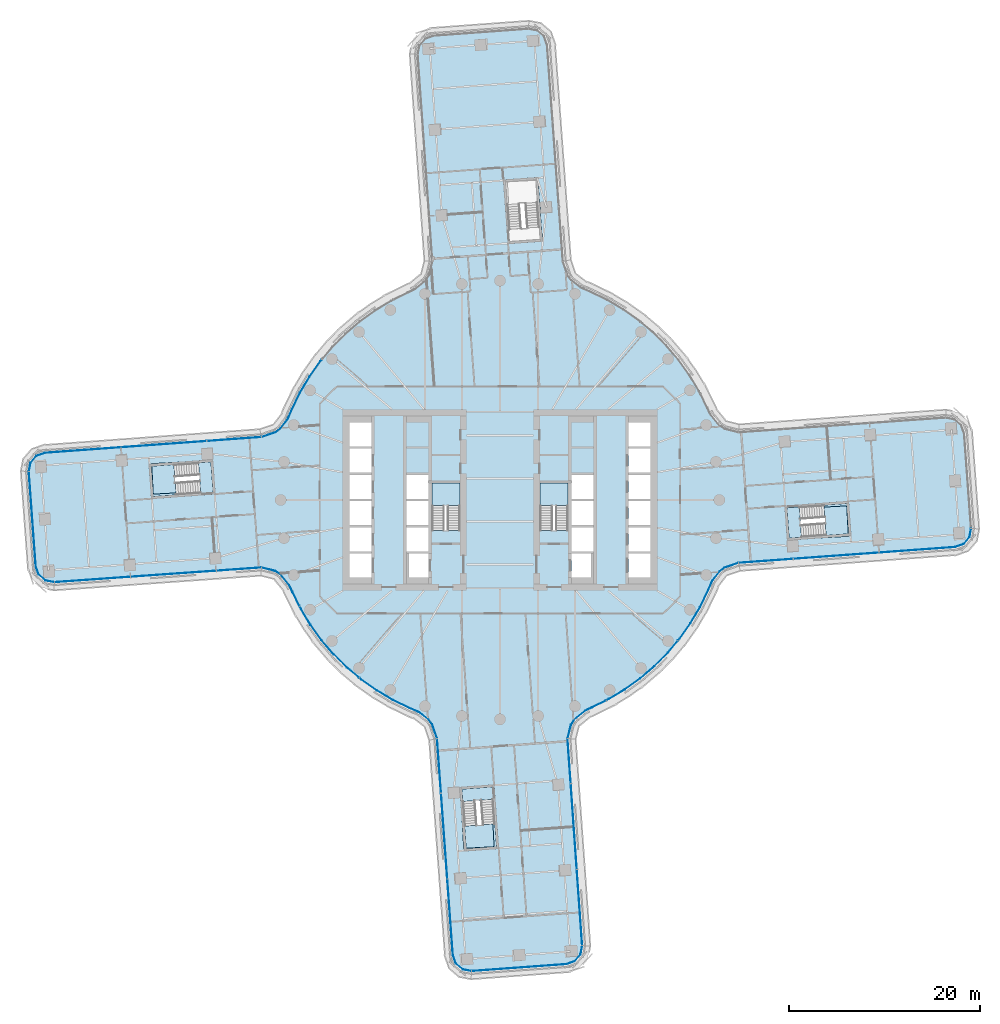
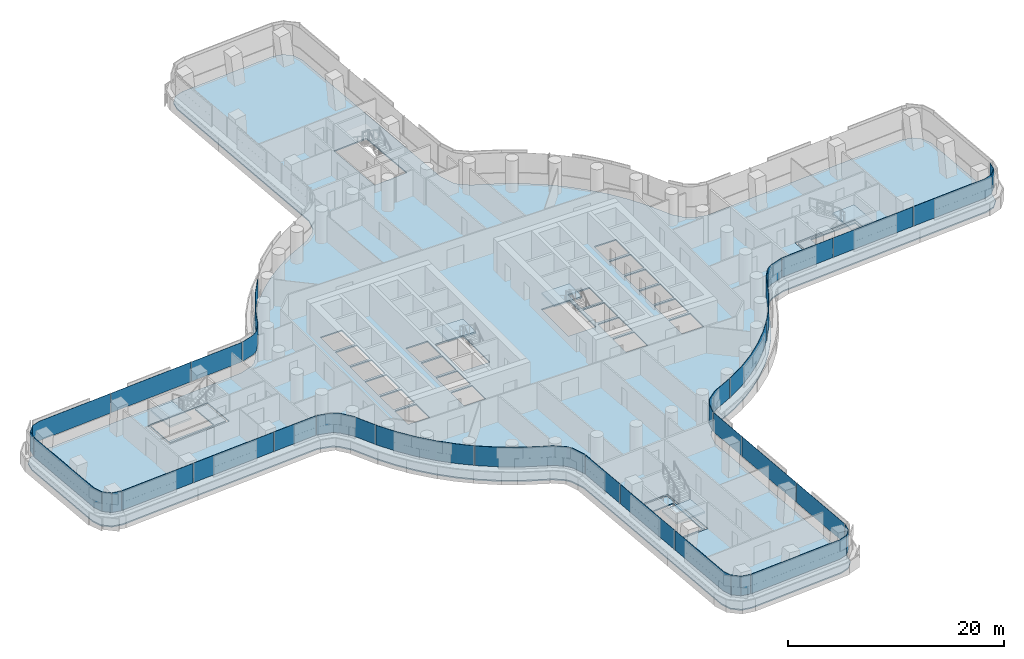
# One storey, part 17 of 31: 24 plates, 9 slabs, 15 elements without a shape of their own.
"""IFC4 building model written with IfcOpenShell, lengths in metres."""

from ifc_helpers import new_model, si_unit, direction, frame, origin, place, context, subcontext, project, spatial, polyline, outline, extrude, material, layer, layer_set, type_object, element, aggregate, save


model = new_model("IFC4")

# Units and contexts
model_context = context("Model", 3, precision=1e-05, world=origin(), true_north=direction((0.0, 1.0)))
body_context = subcontext(model_context, "Body", "Model", "MODEL_VIEW")
ifc_project = project(units=[si_unit("LENGTHUNIT", "METRE"), si_unit("AREAUNIT", "SQUARE_METRE"), si_unit("VOLUMEUNIT", "CUBIC_METRE"), si_unit("PLANEANGLEUNIT", "RADIAN"), si_unit("MASSUNIT", "GRAM", prefix="KILO")], contexts=[model_context])

# Site, building, storey
site_placement = place(None, origin())
site = spatial("IfcSite", under=ifc_project, at=site_placement, CompositionType="ELEMENT")
building_placement = place(site_placement, origin())
building = spatial("IfcBuilding", under=site, at=building_placement, Name="Tamarind Cross Interchange Tower", CompositionType="ELEMENT")
storey_placement = place(building_placement, frame((0.0, 0.0, 49.0)))
storey = spatial("IfcBuildingStorey", under=building, at=storey_placement, Name="L10", CompositionType="ELEMENT", Elevation=49.0)

# Slabs
ifc_material_1 = material(Name="Concrete C35", Category="concrete")
ifc_layer_1 = layer(ifc_material_1, 0.139892578125)
ifc_layer_set_1 = layer_set([ifc_layer_1], Name="Concrete C35")
slab_type_1 = type_object("IfcSlabType", Name="Composite slab 140 Concrete C35", PredefinedType="FLOOR", material=ifc_layer_set_1)
slab_1_placement = place(storey_placement, frame((0.0, 0.0, -0.139892578125)))
element("IfcSlab", 1, at=slab_1_placement, inside=storey, type_object=slab_type_1, Name="Floor slab L10", PredefinedType="FLOOR", context=body_context, shape_type="SweptSolid", body=[
    extrude(outline(polyline([(7.285400390625, 23.621826171875), (6.795166015625, 25.059814453125), (5.13671875, 47.755615234375), (4.796630859375, 48.7333984375), (4.01318359375, 49.41015625), (2.996337890625, 49.6044921875), (-6.977294921875, 48.875732421875), (-7.955078125, 48.53564453125), (-8.631591796875, 47.752197265625), (-8.826171875, 46.7353515625), (-7.289794921875, 25.02783203125), (-7.62841796875, 23.673828125), (-7.953369140625, 23.15869140625), (-9.02978515625, 22.2705078125), (-9.7333984375, 21.93310546875), (-11.511474609375, 21.054443359375), (-13.2109375, 20.031982421875), (-14.820068359375, 18.87255859375), (-16.327880859375, 17.584228515625), (-17.72412109375, 16.17578125), (-18.99951171875, 14.656982421875), (-20.14501953125, 13.0380859375), (-21.15283203125, 11.329833984375), (-22.01611328125, 9.54443359375), (-22.4287109375, 8.594970703125), (-23.183837890625, 7.608642578125), (-23.621826171875, 7.285400390625), (-25.059814453125, 6.795166015625), (-47.755615234375, 5.13671875), (-48.7333984375, 4.796630859375), (-49.41015625, 4.01318359375), (-49.6044921875, 2.996337890625), (-48.875732421875, -6.977294921875), (-48.53564453125, -7.955078125), (-47.752197265625, -8.631591796875), (-46.7353515625, -8.826171875), (-25.02783203125, -7.289794921875), (-23.673828125, -7.62841796875), (-23.15869140625, -7.953369140625), (-22.2705078125, -9.02978515625), (-21.93310546875, -9.7333984375), (-21.054443359375, -11.511474609375), (-20.031982421875, -13.2109375), (-18.87255859375, -14.820068359375), (-17.584228515625, -16.327880859375), (-16.17578125, -17.72412109375), (-14.656982421875, -18.99951171875), (-13.0380859375, -20.14501953125), (-11.329833984375, -21.15283203125), (-9.54443359375, -22.01611328125), (-8.594970703125, -22.4287109375), (-7.608642578125, -23.183837890625), (-7.285400390625, -23.621826171875), (-6.795166015625, -25.059814453125), (-5.13671875, -47.755615234375), (-4.796630859375, -48.7333984375), (-4.01318359375, -49.41015625), (-2.996337890625, -49.6044921875), (6.977294921875, -48.875732421875), (7.955078125, -48.53564453125), (8.631591796875, -47.752197265625), (8.826171875, -46.7353515625), (7.289794921875, -25.02783203125), (7.62841796875, -23.673828125), (7.953369140625, -23.15869140625), (9.02978515625, -22.2705078125), (9.7333984375, -21.93310546875), (11.511474609375, -21.054443359375), (13.2109375, -20.031982421875), (14.820068359375, -18.87255859375), (16.327880859375, -17.584228515625), (17.72412109375, -16.17578125), (18.99951171875, -14.656982421875), (20.14501953125, -13.0380859375), (21.15283203125, -11.329833984375), (22.01611328125, -9.54443359375), (22.4287109375, -8.594970703125), (23.183837890625, -7.608642578125), (23.621826171875, -7.285400390625), (25.059814453125, -6.795166015625), (47.755615234375, -5.13671875), (48.7333984375, -4.796630859375), (49.41015625, -4.01318359375), (49.6044921875, -2.996337890625), (48.875732421875, 6.977294921875), (48.53564453125, 7.955078125), (47.752197265625, 8.631591796875), (46.7353515625, 8.826171875), (25.02783203125, 7.289794921875), (23.673828125, 7.62841796875), (23.15869140625, 7.953369140625), (22.2705078125, 9.02978515625), (21.93310546875, 9.7333984375), (21.054443359375, 11.511474609375), (20.031982421875, 13.2109375), (18.87255859375, 14.820068359375), (17.584228515625, 16.327880859375), (16.17578125, 17.72412109375), (14.656982421875, 18.99951171875), (13.0380859375, 20.14501953125), (11.329833984375, 21.15283203125), (9.54443359375, 22.01611328125), (8.594970703125, 22.4287109375), (7.608642578125, 23.183837890625), (7.285400390625, 23.621826171875)]), holes=[polyline([(-13.5, -8.125), (-15.800048828125, -8.125), (-15.800048828125, -5.625), (-13.5, -5.625), (-13.5, -8.125)]), polyline([(-13.5, -5.375), (-15.800048828125, -5.375), (-15.800048828125, -2.875), (-13.5, -2.875), (-13.5, -5.375)]), polyline([(-7.5, -5.375), (-9.800048828125, -5.375), (-9.800048828125, -2.875), (-7.5, -2.875), (-7.5, -5.375)]), polyline([(-15.800048828125, -2.625), (-15.800048828125, -0.125), (-13.5, -0.125), (-13.5, -2.625), (-15.800048828125, -2.625)]), polyline([(-9.800048828125, -2.625), (-9.800048828125, -0.125), (-7.5, -0.125), (-7.5, -2.625), (-9.800048828125, -2.625)]), polyline([(-29.86669921875, 0.62841796875), (-36.548828125, 0.14013671875), (-36.5634765625, 0.339599609375), (-36.796630859375, 3.531005859375), (-36.811279296875, 3.73046875), (-36.52685546875, 3.751220703125), (-36.530029296875, 3.811279296875), (-33.245361328125, 3.9912109375), (-30.129150390625, 4.21875), (-30.114501953125, 4.019287109375), (-29.88134765625, 0.827880859375), (-29.86669921875, 0.62841796875)]), polyline([(-13.5, 0.125), (-15.800048828125, 0.125), (-15.800048828125, 2.625), (-13.5, 2.625), (-13.5, 0.125)]), polyline([(-7.5, 0.125), (-9.800048828125, 0.125), (-9.800048828125, 2.625), (-7.5, 2.625), (-7.5, 0.125)]), polyline([(-13.5, 2.875), (-15.800048828125, 2.875), (-15.800048828125, 5.375), (-13.5, 5.375), (-13.5, 2.875)]), polyline([(-15.800048828125, 5.625), (-15.800048828125, 8.125), (-13.5, 8.125), (-13.5, 5.625), (-15.800048828125, 5.625)]), polyline([(-4.21875, -30.129150390625), (-4.019287109375, -30.114501953125), (-0.827880859375, -29.88134765625), (-0.62841796875, -29.86669921875), (-0.14013671875, -36.548828125), (-0.339599609375, -36.5634765625), (-3.531005859375, -36.796630859375), (-3.73046875, -36.811279296875), (-3.751220703125, -36.52685546875), (-3.811279296875, -36.530029296875), (-3.9912109375, -33.245361328125), (-4.21875, -30.129150390625)]), polyline([(-9.800048828125, -8.125), (-9.800048828125, -5.625), (-7.5, -5.625), (-7.5, -8.125), (-9.800048828125, -8.125)]), polyline([(9.800048828125, -2.875), (9.800048828125, -5.375), (7.5, -5.375), (7.5, -2.875), (9.800048828125, -2.875)]), polyline([(-4.199951171875, 1.800048828125), (-4.199951171875, -3.18798828125), (-7.14990234375, -3.18798828125), (-7.14990234375, 1.800048828125), (-4.199951171875, 1.800048828125)]), polyline([(7.14990234375, 1.800048828125), (7.14990234375, -3.18798828125), (4.199951171875, -3.18798828125), (4.199951171875, 1.800048828125), (7.14990234375, 1.800048828125)]), polyline([(0.358642578125, 33.556884765625), (0.55810546875, 33.5712890625), (3.749755859375, 33.8046875), (3.94921875, 33.819091796875), (3.969970703125, 33.5341796875), (3.975341796875, 33.53466796875), (3.9912109375, 33.245361328125), (4.4375, 27.136962890625), (4.238037109375, 27.12255859375), (1.04638671875, 26.889404296875), (0.846923828125, 26.874755859375), (0.358642578125, 33.556884765625)]), polyline([(7.5, -5.625), (9.800048828125, -5.625), (9.800048828125, -8.125), (7.5, -8.125), (7.5, -5.625)]), polyline([(15.800048828125, -5.625), (15.800048828125, -8.125), (13.5, -8.125), (13.5, -5.625), (15.800048828125, -5.625)]), polyline([(15.800048828125, -2.875), (15.800048828125, -5.375), (13.5, -5.375), (13.5, -2.875), (15.800048828125, -2.875)]), polyline([(30.129150390625, -4.21875), (30.114501953125, -4.019287109375), (29.88134765625, -0.827880859375), (29.86669921875, -0.62841796875), (36.548828125, -0.14013671875), (36.5634765625, -0.339599609375), (36.796630859375, -3.531005859375), (36.811279296875, -3.73046875), (36.52685546875, -3.751220703125), (36.530029296875, -3.811279296875), (33.245361328125, -3.9912109375), (30.129150390625, -4.21875)]), polyline([(9.800048828125, -0.125), (9.800048828125, -2.625), (7.5, -2.625), (7.5, -0.125), (9.800048828125, -0.125)]), polyline([(13.5, -0.125), (15.800048828125, -0.125), (15.800048828125, -2.625), (13.5, -2.625), (13.5, -0.125)]), polyline([(9.800048828125, 2.625), (9.800048828125, 0.125), (7.5, 0.125), (7.5, 2.625), (9.800048828125, 2.625)]), polyline([(13.5, 2.625), (15.800048828125, 2.625), (15.800048828125, 0.125), (13.5, 0.125), (13.5, 2.625)]), polyline([(15.800048828125, 5.375), (15.800048828125, 2.875), (13.5, 2.875), (13.5, 5.375), (15.800048828125, 5.375)]), polyline([(15.800048828125, 8.125), (15.800048828125, 5.625), (13.5, 5.625), (13.5, 8.125), (15.800048828125, 8.125)])]), origin(), (0.0, 0.0, 1.0), 0.139892578125),
])
slab_2_placement = place(storey_placement, frame((0.0, 0.0, -0.139892578125)))
element("IfcSlab", 2, at=slab_2_placement, inside=storey, type_object=slab_type_1, Name="Floor slab L10", PredefinedType="FLOOR", context=body_context, shape_type="SweptSolid", body=[
    extrude(outline(polyline([(-36.59716796875, 3.545654296875), (-36.364013671875, 0.35400390625), (-30.080810546875, 0.813232421875), (-30.31396484375, 4.0048828125), (-31.62255859375, 3.9091796875), (-31.401611328125, 0.88720703125), (-36.355224609375, 0.615966796875), (-36.515869140625, 3.551513671875), (-36.59716796875, 3.545654296875)])), origin(), (0.0, 0.0, 1.0), 0.139892578125),
])
slab_3_placement = place(storey_placement, frame((0.0, 0.0, -0.139892578125)))
element("IfcSlab", 3, at=slab_3_placement, inside=storey, type_object=slab_type_1, Name="Floor slab L10", PredefinedType="FLOOR", context=body_context, shape_type="SweptSolid", body=[
    extrude(outline(polyline([(-3.545654296875, -36.59716796875), (-0.35400390625, -36.364013671875), (-0.813232421875, -30.080810546875), (-4.0048828125, -30.31396484375), (-3.9091796875, -31.62255859375), (-0.88720703125, -31.401611328125), (-0.615966796875, -36.355224609375), (-3.551513671875, -36.515869140625), (-3.545654296875, -36.59716796875)])), origin(), (0.0, 0.0, 1.0), 0.139892578125),
])
slab_4_placement = place(storey_placement, frame((0.0, 0.0, -0.139892578125)))
element("IfcSlab", 4, at=slab_4_placement, inside=storey, type_object=slab_type_1, Name="Floor slab L10", PredefinedType="FLOOR", context=body_context, shape_type="SweptSolid", body=[
    extrude(outline(polyline([(36.59716796875, -3.545654296875), (36.364013671875, -0.35400390625), (30.080810546875, -0.813232421875), (30.31396484375, -4.0048828125), (31.62255859375, -3.9091796875), (31.401611328125, -0.88720703125), (36.355224609375, -0.615966796875), (36.515869140625, -3.551513671875), (36.59716796875, -3.545654296875)])), origin(), (0.0, 0.0, 1.0), 0.139892578125),
])

# Stair, slab
ifc_material_2 = material(Name="Exit stair")
stair_type = type_object("IfcStairType", Name="Exit stair", PredefinedType="HALF_TURN_STAIR", material=ifc_material_2)
stair_1_placement = place(storey_placement, origin())
stair_1 = element("IfcStair", 5, at=stair_1_placement, inside=storey, type_object=stair_type, Name="L10 exit stair ST1", PredefinedType="HALF_TURN_STAIR")
ifc_material_3 = material(Name="Concrete C40", Category="concrete")
ifc_layer_2 = layer(ifc_material_3, 0.199951171875)
ifc_layer_set_2 = layer_set([ifc_layer_2], Name="Concrete C40")
slab_type_2 = type_object("IfcSlabType", Name="Stair landing", PredefinedType="LANDING", material=ifc_layer_set_2)
slab_5_placement = place(storey_placement, frame((0.0, 0.0, 1.675048828125)))
slab_5 = element("IfcSlab", 6, at=slab_5_placement, type_object=slab_type_2, Name="ST1 landing 1", PredefinedType="LANDING", context=body_context, shape_type="SweptSolid", body=[
    extrude(outline(polyline([(-4.199951171875, -0.60009765625), (-4.199951171875, 1.800048828125), (-7.14990234375, 1.800048828125), (-7.14990234375, -0.60009765625), (-4.199951171875, -0.60009765625)])), origin(), (0.0, 0.0, 1.0), 0.199951171875),
])
aggregate(stair_1, [slab_5])

stair_2_placement = place(storey_placement, origin())
stair_2 = element("IfcStair", 7, at=stair_2_placement, inside=storey, type_object=stair_type, Name="L10 exit stair ST2", PredefinedType="HALF_TURN_STAIR")
slab_6_placement = place(storey_placement, frame((0.0, 0.0, 1.675048828125)))
slab_6 = element("IfcSlab", 8, at=slab_6_placement, type_object=slab_type_2, Name="ST2 landing 1", PredefinedType="LANDING", context=body_context, shape_type="SweptSolid", body=[
    extrude(outline(polyline([(7.14990234375, -0.60009765625), (7.14990234375, 1.800048828125), (4.199951171875, 1.800048828125), (4.199951171875, -0.60009765625), (7.14990234375, -0.60009765625)])), origin(), (0.0, 0.0, 1.0), 0.199951171875),
])
aggregate(stair_2, [slab_6])

stair_3_placement = place(storey_placement, origin())
stair_3 = element("IfcStair", 9, at=stair_3_placement, inside=storey, type_object=stair_type, Name="L10 exit stair ST3", PredefinedType="HALF_TURN_STAIR")
slab_7_placement = place(storey_placement, frame((0.0, 0.0, 1.675048828125)))
slab_7 = element("IfcSlab", 10, at=slab_7_placement, type_object=slab_type_2, Name="ST3 landing 1", PredefinedType="LANDING", context=body_context, shape_type="SweptSolid", body=[
    extrude(outline(polyline([(34.191650390625, -3.721435546875), (36.59716796875, -3.545654296875), (36.364013671875, -0.354248046875), (33.95849609375, -0.530029296875), (34.191650390625, -3.721435546875)])), origin(), (0.0, 0.0, 1.0), 0.199951171875),
])
aggregate(stair_3, [slab_7])

stair_4_placement = place(storey_placement, origin())
stair_4 = element("IfcStair", 11, at=stair_4_placement, inside=storey, type_object=stair_type, Name="L10 exit stair ST5", PredefinedType="HALF_TURN_STAIR")
slab_8_placement = place(storey_placement, frame((0.0, 0.0, 1.675048828125)))
slab_8 = element("IfcSlab", 12, at=slab_8_placement, type_object=slab_type_2, Name="ST5 landing 1", PredefinedType="LANDING", context=body_context, shape_type="SweptSolid", body=[
    extrude(outline(polyline([(-34.191650390625, 3.721435546875), (-36.59716796875, 3.545654296875), (-36.364013671875, 0.354248046875), (-33.95849609375, 0.530029296875), (-34.191650390625, 3.721435546875)])), origin(), (0.0, 0.0, 1.0), 0.199951171875),
])
aggregate(stair_4, [slab_8])

stair_5_placement = place(storey_placement, origin())
stair_5 = element("IfcStair", 13, at=stair_5_placement, inside=storey, type_object=stair_type, Name="L10 exit stair ST6", PredefinedType="HALF_TURN_STAIR")
slab_9_placement = place(storey_placement, frame((0.0, 0.0, 1.675048828125)))
slab_9 = element("IfcSlab", 14, at=slab_9_placement, type_object=slab_type_2, Name="ST6 landing 1", PredefinedType="LANDING", context=body_context, shape_type="SweptSolid", body=[
    extrude(outline(polyline([(-3.721435546875, -34.191650390625), (-3.545654296875, -36.59716796875), (-0.354248046875, -36.364013671875), (-0.530029296875, -33.95849609375), (-3.721435546875, -34.191650390625)])), origin(), (0.0, 0.0, 1.0), 0.199951171875),
])
aggregate(stair_5, [slab_9])

# Curtain wall, plate
ifc_material_4 = material(Name="Aluminium 6063-T6", Category="aluminium")
ifc_layer_3 = layer(ifc_material_4, 0.159912109375)
ifc_layer_set_3 = layer_set([ifc_layer_3], Name="Aluminium 6063-T6")
curtain_wall_type = type_object("IfcCurtainWallType", Name="Office curtain wall, 9.0 m bays", PredefinedType="NOTDEFINED", material=ifc_layer_set_3)
curtain_wall_1_placement = place(storey_placement, origin())
curtain_wall_1 = element("IfcCurtainWall", 15, at=curtain_wall_1_placement, inside=storey, type_object=curtain_wall_type, Name="CWS-L10-02", PredefinedType="NOTDEFINED")
ifc_material_5 = material(Name="Laminated low-e glass 8+1.52+8", Category="glass")
ifc_layer_4 = layer(ifc_material_5, 0.028076171875)
ifc_layer_set_4 = layer_set([ifc_layer_4], Name="Laminated low-e glass 8+1.52+8")
plate_type = type_object("IfcPlateType", Name="Vision panel CW1", PredefinedType="CURTAIN_PANEL", material=ifc_layer_set_4)
plate_1_placement = place(storey_placement, frame((0.0, 0.0, 1.39990234375)))
plate_1 = element("IfcPlate", 16, at=plate_1_placement, type_object=plate_type, Name="CWP-L10-02-02", PredefinedType="CURTAIN_PANEL", context=body_context, shape_type="SweptSolid", body=[
    extrude(outline(polyline([(-18.66357421875, 14.72412109375), (-18.829833984375, 14.526123046875), (-19.965087890625, 12.921630859375), (-20.9638671875, 11.228759765625), (-21.821533203125, 9.455078125), (-22.242919921875, 8.485595703125), (-23.032470703125, 7.45458984375), (-23.521484375, 7.093505859375), (-24.986572265625, 6.593994140625), (-24.99560546875, 6.620361328125), (-23.53466796875, 7.11865234375), (-23.05224609375, 7.474609375), (-22.26708984375, 8.5), (-21.846923828125, 9.466796875), (-20.98876953125, 11.241943359375), (-19.988525390625, 12.936767578125), (-18.85205078125, 14.543212890625), (-18.68505859375, 14.7421875), (-18.66357421875, 14.72412109375)])), origin(), (0.0, 0.0, 1.0), 2.210205078125),
])
aggregate(curtain_wall_1, [plate_1])

# Curtain wall, plates
curtain_wall_2_placement = place(storey_placement, origin())
curtain_wall_2 = element("IfcCurtainWall", 17, at=curtain_wall_2_placement, inside=storey, type_object=curtain_wall_type, Name="CWS-L10-03", PredefinedType="NOTDEFINED")
plate_2_placement = place(storey_placement, frame((0.0, 0.0, 1.39990234375)))
plate_2 = element("IfcPlate", 18, at=plate_2_placement, type_object=plate_type, Name="CWP-L10-03-00", PredefinedType="CURTAIN_PANEL", context=body_context, shape_type="SweptSolid", body=[
    extrude(outline(polyline([(-25.04833984375, 6.581298828125), (-30.716796875, 6.167236328125), (-30.71875, 6.195068359375), (-25.05029296875, 6.609375), (-25.04833984375, 6.581298828125)])), origin(), (0.0, 0.0, 1.0), 2.210205078125),
])
plate_3_placement = place(storey_placement, frame((0.0, 0.0, 1.39990234375)))
plate_3 = element("IfcPlate", 19, at=plate_3_placement, type_object=plate_type, Name="CWP-L10-03-01", PredefinedType="CURTAIN_PANEL", context=body_context, shape_type="SweptSolid", body=[
    extrude(outline(polyline([(-30.776611328125, 6.162841796875), (-39.692626953125, 5.51123046875), (-39.694580078125, 5.539306640625), (-30.778564453125, 6.190673828125), (-30.776611328125, 6.162841796875)])), origin(), (0.0, 0.0, 1.0), 2.210205078125),
])
plate_4_placement = place(storey_placement, frame((0.0, 0.0, 1.39990234375)))
plate_4 = element("IfcPlate", 20, at=plate_4_placement, type_object=plate_type, Name="CWP-L10-03-02", PredefinedType="CURTAIN_PANEL", context=body_context, shape_type="SweptSolid", body=[
    extrude(outline(polyline([(-39.75244140625, 5.5068359375), (-47.7119140625, 4.92529296875), (-48.60888671875, 4.61328125), (-49.210693359375, 3.916748046875), (-49.3837890625, 3.011474609375), (-49.411376953125, 3.0166015625), (-49.23681640625, 3.92919921875), (-48.625244140625, 4.63720703125), (-47.717529296875, 4.952880859375), (-39.75439453125, 5.534912109375), (-39.75244140625, 5.5068359375)])), origin(), (0.0, 0.0, 1.0), 2.210205078125),
])
aggregate(curtain_wall_2, [plate_2, plate_3, plate_4])

# Curtain wall, plate
curtain_wall_3_placement = place(storey_placement, origin())
curtain_wall_3 = element("IfcCurtainWall", 21, at=curtain_wall_3_placement, inside=storey, type_object=curtain_wall_type, Name="CWS-L10-04", PredefinedType="NOTDEFINED")
plate_5_placement = place(storey_placement, frame((0.0, 0.0, 1.39990234375)))
plate_5 = element("IfcPlate", 22, at=plate_5_placement, type_object=plate_type, Name="CWP-L10-04-00", PredefinedType="CURTAIN_PANEL", context=body_context, shape_type="SweptSolid", body=[
    extrude(outline(polyline([(-49.386962890625, 2.95556640625), (-48.664306640625, -6.933349609375), (-48.352294921875, -7.83056640625), (-47.65576171875, -8.432373046875), (-46.750244140625, -8.60546875), (-46.755615234375, -8.6328125), (-47.668212890625, -8.45849609375), (-48.37646484375, -7.8466796875), (-48.692138671875, -6.939208984375), (-49.4150390625, 2.95361328125), (-49.386962890625, 2.95556640625)])), origin(), (0.0, 0.0, 1.0), 2.210205078125),
])
aggregate(curtain_wall_3, [plate_5])

# Curtain wall, plates
curtain_wall_4_placement = place(storey_placement, origin())
curtain_wall_4 = element("IfcCurtainWall", 23, at=curtain_wall_4_placement, inside=storey, type_object=curtain_wall_type, Name="CWS-L10-05", PredefinedType="NOTDEFINED")
plate_6_placement = place(storey_placement, frame((0.0, 0.0, 1.39990234375)))
plate_6 = element("IfcPlate", 24, at=plate_6_placement, type_object=plate_type, Name="CWP-L10-05-00", PredefinedType="CURTAIN_PANEL", context=body_context, shape_type="SweptSolid", body=[
    extrude(outline(polyline([(-46.694580078125, -8.608642578125), (-38.759521484375, -8.047119140625), (-38.757568359375, -8.074951171875), (-46.692626953125, -8.636474609375), (-46.694580078125, -8.608642578125)])), origin(), (0.0, 0.0, 1.0), 2.210205078125),
])
plate_7_placement = place(storey_placement, frame((0.0, 0.0, 1.39990234375)))
plate_7 = element("IfcPlate", 25, at=plate_7_placement, type_object=plate_type, Name="CWP-L10-05-01", PredefinedType="CURTAIN_PANEL", context=body_context, shape_type="SweptSolid", body=[
    extrude(outline(polyline([(-38.69970703125, -8.04296875), (-29.779541015625, -7.41162109375), (-29.777587890625, -7.439453125), (-38.69775390625, -8.07080078125), (-38.69970703125, -8.04296875)])), origin(), (0.0, 0.0, 1.0), 2.210205078125),
])
plate_8_placement = place(storey_placement, frame((0.0, 0.0, 1.39990234375)))
plate_8 = element("IfcPlate", 26, at=plate_8_placement, type_object=plate_type, Name="CWP-L10-05-02", PredefinedType="CURTAIN_PANEL", context=body_context, shape_type="SweptSolid", body=[
    extrude(outline(polyline([(-29.7197265625, -7.407470703125), (-25.041015625, -7.076171875), (-25.0390625, -7.104248046875), (-29.7177734375, -7.435302734375), (-29.7197265625, -7.407470703125)])), origin(), (0.0, 0.0, 1.0), 2.210205078125),
])
aggregate(curtain_wall_4, [plate_6, plate_7, plate_8])

curtain_wall_5_placement = place(storey_placement, origin())
curtain_wall_5 = element("IfcCurtainWall", 27, at=curtain_wall_5_placement, inside=storey, type_object=curtain_wall_type, Name="CWS-L10-06", PredefinedType="NOTDEFINED")
plate_9_placement = place(storey_placement, frame((0.0, 0.0, 1.39990234375)))
plate_9 = element("IfcPlate", 28, at=plate_9_placement, type_object=plate_type, Name="CWP-L10-06-00", PredefinedType="CURTAIN_PANEL", context=body_context, shape_type="SweptSolid", body=[
    extrude(outline(polyline([(-24.977783203125, -7.081787109375), (-23.588623046875, -7.428955078125), (-23.015380859375, -7.790771484375), (-22.088623046875, -8.913818359375), (-21.74072265625, -9.639892578125), (-21.01513671875, -11.108154296875), (-21.040283203125, -11.12060546875), (-21.765869140625, -9.652099609375), (-22.112548828125, -8.928955078125), (-23.0341796875, -7.81201171875), (-23.599853515625, -7.455078125), (-24.984375, -7.10888671875), (-24.977783203125, -7.081787109375)])), origin(), (0.0, 0.0, 1.0), 2.210205078125),
])
plate_10_placement = place(storey_placement, frame((0.0, 0.0, 1.39990234375)))
plate_10 = element("IfcPlate", 29, at=plate_10_placement, type_object=plate_type, Name="CWP-L10-06-01", PredefinedType="CURTAIN_PANEL", context=body_context, shape_type="SweptSolid", body=[
    extrude(outline(polyline([(-20.988525390625, -11.161865234375), (-20.866455078125, -11.40869140625), (-19.85302734375, -13.093017578125), (-18.7041015625, -14.687744140625), (-17.42724609375, -16.18212890625), (-16.031494140625, -17.56591796875), (-14.77001953125, -18.625), (-14.7880859375, -18.646484375), (-16.05029296875, -17.586669921875), (-17.44775390625, -16.201171875), (-18.72607421875, -14.705078125), (-19.87646484375, -13.1083984375), (-20.89111328125, -11.422119140625), (-21.013671875, -11.17431640625), (-20.988525390625, -11.161865234375)])), origin(), (0.0, 0.0, 1.0), 2.210205078125),
])
plate_11_placement = place(storey_placement, frame((0.0, 0.0, 1.39990234375)))
plate_11 = element("IfcPlate", 30, at=plate_11_placement, type_object=plate_type, Name="CWP-L10-06-02", PredefinedType="CURTAIN_PANEL", context=body_context, shape_type="SweptSolid", body=[
    extrude(outline(polyline([(-14.72412109375, -18.66357421875), (-14.526123046875, -18.829833984375), (-12.921630859375, -19.965087890625), (-11.228759765625, -20.9638671875), (-9.455078125, -21.821533203125), (-8.485595703125, -22.242919921875), (-7.45458984375, -23.032470703125), (-7.093505859375, -23.521484375), (-6.593994140625, -24.986572265625), (-6.620361328125, -24.99560546875), (-7.11865234375, -23.53466796875), (-7.474609375, -23.05224609375), (-8.5, -22.26708984375), (-9.466796875, -21.846923828125), (-11.241943359375, -20.98876953125), (-12.936767578125, -19.988525390625), (-14.543212890625, -18.85205078125), (-14.7421875, -18.68505859375), (-14.72412109375, -18.66357421875)])), origin(), (0.0, 0.0, 1.0), 2.210205078125),
])
aggregate(curtain_wall_5, [plate_9, plate_10, plate_11])

curtain_wall_6_placement = place(storey_placement, origin())
curtain_wall_6 = element("IfcCurtainWall", 31, at=curtain_wall_6_placement, inside=storey, type_object=curtain_wall_type, Name="CWS-L10-07", PredefinedType="NOTDEFINED")
plate_12_placement = place(storey_placement, frame((0.0, 0.0, 1.39990234375)))
plate_12 = element("IfcPlate", 32, at=plate_12_placement, type_object=plate_type, Name="CWP-L10-07-00", PredefinedType="CURTAIN_PANEL", context=body_context, shape_type="SweptSolid", body=[
    extrude(outline(polyline([(-6.581298828125, -25.04833984375), (-6.167236328125, -30.716796875), (-6.195068359375, -30.71875), (-6.609375, -25.05029296875), (-6.581298828125, -25.04833984375)])), origin(), (0.0, 0.0, 1.0), 2.210205078125),
])
plate_13_placement = place(storey_placement, frame((0.0, 0.0, 1.39990234375)))
plate_13 = element("IfcPlate", 33, at=plate_13_placement, type_object=plate_type, Name="CWP-L10-07-01", PredefinedType="CURTAIN_PANEL", context=body_context, shape_type="SweptSolid", body=[
    extrude(outline(polyline([(-6.162841796875, -30.776611328125), (-5.51123046875, -39.692626953125), (-5.539306640625, -39.694580078125), (-6.190673828125, -30.778564453125), (-6.162841796875, -30.776611328125)])), origin(), (0.0, 0.0, 1.0), 2.210205078125),
])
plate_14_placement = place(storey_placement, frame((0.0, 0.0, 1.39990234375)))
plate_14 = element("IfcPlate", 34, at=plate_14_placement, type_object=plate_type, Name="CWP-L10-07-02", PredefinedType="CURTAIN_PANEL", context=body_context, shape_type="SweptSolid", body=[
    extrude(outline(polyline([(-5.5068359375, -39.75244140625), (-4.92529296875, -47.7119140625), (-4.61328125, -48.60888671875), (-3.916748046875, -49.210693359375), (-3.011474609375, -49.3837890625), (-3.0166015625, -49.411376953125), (-3.92919921875, -49.23681640625), (-4.63720703125, -48.625244140625), (-4.952880859375, -47.717529296875), (-5.534912109375, -39.75439453125), (-5.5068359375, -39.75244140625)])), origin(), (0.0, 0.0, 1.0), 2.210205078125),
])
aggregate(curtain_wall_6, [plate_12, plate_13, plate_14])

# Curtain wall, plate
curtain_wall_7_placement = place(storey_placement, origin())
curtain_wall_7 = element("IfcCurtainWall", 35, at=curtain_wall_7_placement, inside=storey, type_object=curtain_wall_type, Name="CWS-L10-08", PredefinedType="NOTDEFINED")
plate_15_placement = place(storey_placement, frame((0.0, 0.0, 1.39990234375)))
plate_15 = element("IfcPlate", 36, at=plate_15_placement, type_object=plate_type, Name="CWP-L10-08-00", PredefinedType="CURTAIN_PANEL", context=body_context, shape_type="SweptSolid", body=[
    extrude(outline(polyline([(-2.95556640625, -49.386962890625), (6.933349609375, -48.664306640625), (7.83056640625, -48.352294921875), (8.432373046875, -47.65576171875), (8.60546875, -46.750244140625), (8.6328125, -46.755615234375), (8.45849609375, -47.668212890625), (7.8466796875, -48.37646484375), (6.939208984375, -48.692138671875), (-2.95361328125, -49.4150390625), (-2.95556640625, -49.386962890625)])), origin(), (0.0, 0.0, 1.0), 2.210205078125),
])
aggregate(curtain_wall_7, [plate_15])

# Curtain wall, plates
curtain_wall_8_placement = place(storey_placement, origin())
curtain_wall_8 = element("IfcCurtainWall", 37, at=curtain_wall_8_placement, inside=storey, type_object=curtain_wall_type, Name="CWS-L10-09", PredefinedType="NOTDEFINED")
plate_16_placement = place(storey_placement, frame((0.0, 0.0, 1.39990234375)))
plate_16 = element("IfcPlate", 38, at=plate_16_placement, type_object=plate_type, Name="CWP-L10-09-00", PredefinedType="CURTAIN_PANEL", context=body_context, shape_type="SweptSolid", body=[
    extrude(outline(polyline([(8.608642578125, -46.694580078125), (8.047119140625, -38.759521484375), (8.074951171875, -38.757568359375), (8.636474609375, -46.692626953125), (8.608642578125, -46.694580078125)])), origin(), (0.0, 0.0, 1.0), 2.210205078125),
])
plate_17_placement = place(storey_placement, frame((0.0, 0.0, 1.39990234375)))
plate_17 = element("IfcPlate", 39, at=plate_17_placement, type_object=plate_type, Name="CWP-L10-09-01", PredefinedType="CURTAIN_PANEL", context=body_context, shape_type="SweptSolid", body=[
    extrude(outline(polyline([(8.04296875, -38.69970703125), (7.41162109375, -29.779541015625), (7.439453125, -29.777587890625), (8.07080078125, -38.69775390625), (8.04296875, -38.69970703125)])), origin(), (0.0, 0.0, 1.0), 2.210205078125),
])
plate_18_placement = place(storey_placement, frame((0.0, 0.0, 1.39990234375)))
plate_18 = element("IfcPlate", 40, at=plate_18_placement, type_object=plate_type, Name="CWP-L10-09-02", PredefinedType="CURTAIN_PANEL", context=body_context, shape_type="SweptSolid", body=[
    extrude(outline(polyline([(7.407470703125, -29.7197265625), (7.076171875, -25.041015625), (7.104248046875, -25.0390625), (7.435302734375, -29.7177734375), (7.407470703125, -29.7197265625)])), origin(), (0.0, 0.0, 1.0), 2.210205078125),
])
aggregate(curtain_wall_8, [plate_16, plate_17, plate_18])

curtain_wall_9_placement = place(storey_placement, origin())
curtain_wall_9 = element("IfcCurtainWall", 41, at=curtain_wall_9_placement, inside=storey, type_object=curtain_wall_type, Name="CWS-L10-10", PredefinedType="NOTDEFINED")
plate_19_placement = place(storey_placement, frame((0.0, 0.0, 1.39990234375)))
plate_19 = element("IfcPlate", 42, at=plate_19_placement, type_object=plate_type, Name="CWP-L10-10-00", PredefinedType="CURTAIN_PANEL", context=body_context, shape_type="SweptSolid", body=[
    extrude(outline(polyline([(7.081787109375, -24.977783203125), (7.428955078125, -23.588623046875), (7.790771484375, -23.015380859375), (8.913818359375, -22.088623046875), (9.639892578125, -21.74072265625), (11.108154296875, -21.01513671875), (11.12060546875, -21.040283203125), (9.652099609375, -21.765869140625), (8.928955078125, -22.112548828125), (7.81201171875, -23.0341796875), (7.455078125, -23.599853515625), (7.10888671875, -24.984375), (7.081787109375, -24.977783203125)])), origin(), (0.0, 0.0, 1.0), 2.210205078125),
])
plate_20_placement = place(storey_placement, frame((0.0, 0.0, 1.39990234375)))
plate_20 = element("IfcPlate", 43, at=plate_20_placement, type_object=plate_type, Name="CWP-L10-10-01", PredefinedType="CURTAIN_PANEL", context=body_context, shape_type="SweptSolid", body=[
    extrude(outline(polyline([(11.161865234375, -20.988525390625), (11.40869140625, -20.866455078125), (13.093017578125, -19.85302734375), (14.687744140625, -18.7041015625), (16.18212890625, -17.42724609375), (17.56591796875, -16.031494140625), (18.625, -14.77001953125), (18.646484375, -14.7880859375), (17.586669921875, -16.05029296875), (16.201171875, -17.44775390625), (14.705078125, -18.72607421875), (13.1083984375, -19.87646484375), (11.422119140625, -20.89111328125), (11.17431640625, -21.013671875), (11.161865234375, -20.988525390625)])), origin(), (0.0, 0.0, 1.0), 2.210205078125),
])
plate_21_placement = place(storey_placement, frame((0.0, 0.0, 1.39990234375)))
plate_21 = element("IfcPlate", 44, at=plate_21_placement, type_object=plate_type, Name="CWP-L10-10-02", PredefinedType="CURTAIN_PANEL", context=body_context, shape_type="SweptSolid", body=[
    extrude(outline(polyline([(18.66357421875, -14.72412109375), (18.829833984375, -14.526123046875), (19.965087890625, -12.921630859375), (20.9638671875, -11.228759765625), (21.821533203125, -9.455078125), (22.242919921875, -8.485595703125), (23.032470703125, -7.45458984375), (23.521484375, -7.093505859375), (24.986572265625, -6.593994140625), (24.99560546875, -6.620361328125), (23.53466796875, -7.11865234375), (23.05224609375, -7.474609375), (22.26708984375, -8.5), (21.846923828125, -9.466796875), (20.98876953125, -11.241943359375), (19.988525390625, -12.936767578125), (18.85205078125, -14.543212890625), (18.68505859375, -14.7421875), (18.66357421875, -14.72412109375)])), origin(), (0.0, 0.0, 1.0), 2.210205078125),
])
aggregate(curtain_wall_9, [plate_19, plate_20, plate_21])

curtain_wall_10_placement = place(storey_placement, origin())
curtain_wall_10 = element("IfcCurtainWall", 45, at=curtain_wall_10_placement, inside=storey, type_object=curtain_wall_type, Name="CWS-L10-11", PredefinedType="NOTDEFINED")
plate_22_placement = place(storey_placement, frame((0.0, 0.0, 1.39990234375)))
plate_22 = element("IfcPlate", 46, at=plate_22_placement, type_object=plate_type, Name="CWP-L10-11-00", PredefinedType="CURTAIN_PANEL", context=body_context, shape_type="SweptSolid", body=[
    extrude(outline(polyline([(25.04833984375, -6.581298828125), (30.716796875, -6.167236328125), (30.71875, -6.195068359375), (25.05029296875, -6.609375), (25.04833984375, -6.581298828125)])), origin(), (0.0, 0.0, 1.0), 2.210205078125),
])
plate_23_placement = place(storey_placement, frame((0.0, 0.0, 1.39990234375)))
plate_23 = element("IfcPlate", 47, at=plate_23_placement, type_object=plate_type, Name="CWP-L10-11-01", PredefinedType="CURTAIN_PANEL", context=body_context, shape_type="SweptSolid", body=[
    extrude(outline(polyline([(30.776611328125, -6.162841796875), (39.692626953125, -5.51123046875), (39.694580078125, -5.539306640625), (30.778564453125, -6.190673828125), (30.776611328125, -6.162841796875)])), origin(), (0.0, 0.0, 1.0), 2.210205078125),
])
plate_24_placement = place(storey_placement, frame((0.0, 0.0, 1.39990234375)))
plate_24 = element("IfcPlate", 48, at=plate_24_placement, type_object=plate_type, Name="CWP-L10-11-02", PredefinedType="CURTAIN_PANEL", context=body_context, shape_type="SweptSolid", body=[
    extrude(outline(polyline([(39.75244140625, -5.5068359375), (47.7119140625, -4.92529296875), (48.60888671875, -4.61328125), (49.210693359375, -3.916748046875), (49.3837890625, -3.011474609375), (49.411376953125, -3.0166015625), (49.23681640625, -3.92919921875), (48.625244140625, -4.63720703125), (47.717529296875, -4.952880859375), (39.75439453125, -5.534912109375), (39.75244140625, -5.5068359375)])), origin(), (0.0, 0.0, 1.0), 2.210205078125),
])
aggregate(curtain_wall_10, [plate_22, plate_23, plate_24])

save(model, "model.ifc")
